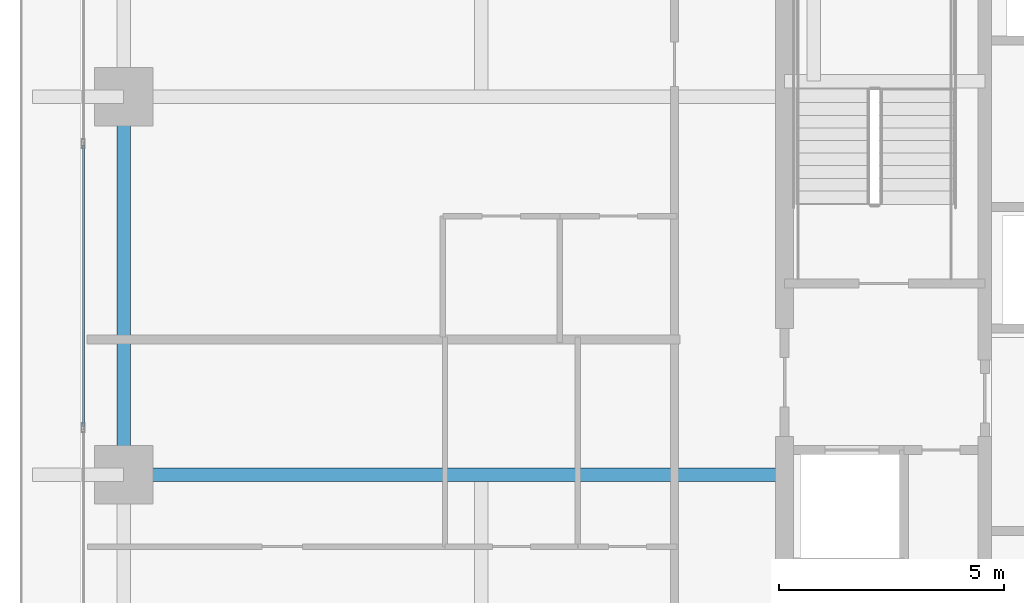
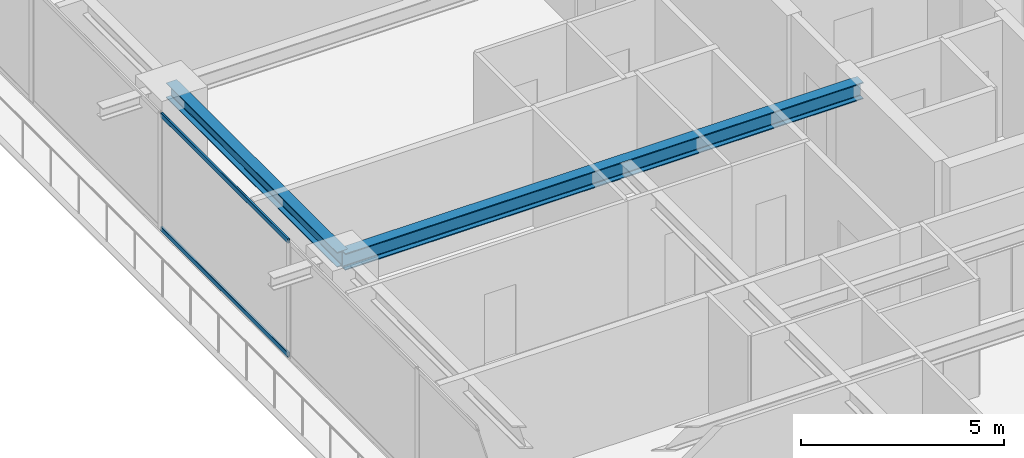
# One storey, part 8 of 36: 2 beams, 2 members, 1 element without a shape of its own.
"""IFC4 building model written with IfcOpenShell, lengths in metres."""

from ifc_helpers import new_model, si_unit, direction, frame, origin, origin_2d, place, context, subcontext, project, spatial, hollow_rectangle, i_section, extrude, source, transform, mapped, material, layer, layer_set, material_profile, profile_set, type_object, element, aggregate, save


model = new_model("IFC4")

# Units and contexts
model_context = context("Model", 3, precision=1e-05, world=origin(), true_north=direction((0.0, 1.0)))
body_context = subcontext(model_context, "Body", "Model", "MODEL_VIEW")
ifc_project = project(units=[si_unit("LENGTHUNIT", "METRE"), si_unit("AREAUNIT", "SQUARE_METRE"), si_unit("VOLUMEUNIT", "CUBIC_METRE"), si_unit("PLANEANGLEUNIT", "RADIAN"), si_unit("MASSUNIT", "GRAM", prefix="KILO")], contexts=[model_context])

# Site, building, storey
site_placement = place(None, origin())
site = spatial("IfcSite", under=ifc_project, at=site_placement, CompositionType="ELEMENT")
building_placement = place(site_placement, origin())
building = spatial("IfcBuilding", under=site, at=building_placement, Name="Serunith Strait Residences", CompositionType="ELEMENT")
storey_placement = place(building_placement, frame((0.0, 0.0, 131.39990234375)))
storey = spatial("IfcBuildingStorey", under=building, at=storey_placement, Name="L32", CompositionType="ELEMENT", Elevation=131.39990234375)

# Beams
ifc_material_1 = material(Name="Steel S355J2", Category="steel")
ifc_material_profile_1 = material_profile(ifc_material_1, i_section(OverallWidth=0.300048828125, OverallDepth=0.449951171875, WebThickness=0.013916015625, FlangeThickness=0.02587890625, FilletRadius=0.027099609375, at=origin_2d()), Name="HEB 450")
ifc_profile_set_1 = profile_set([ifc_material_profile_1], Name="Steel S355J2")
beam_type_1 = type_object("IfcBeamType", Name="BM-HEB450", PredefinedType="BEAM", material=ifc_profile_set_1)
shared_shape_1 = source(origin(), body_context, "Body", "SweptSolid", [
    extrude(i_section(OverallWidth=0.300048828125, OverallDepth=0.449951171875, WebThickness=0.013916015625, FlangeThickness=0.02587890625, FilletRadius=0.027099609375, at=origin_2d()), origin(), (0.0, 0.0, 1.0), 8.39990234375),
])
beam_1_placement = place(storey_placement, frame((8.699951171875, 29.39990234375, 3.26220703125), z_axis=(0.0, -1.0, 0.0), x_axis=(1.0, 0.0, 0.0)))
element("IfcBeam", 1, at=beam_1_placement, inside=storey, type_object=beam_type_1, Name="L32 Perimeter Ring Beam 14", PredefinedType="BEAM", context=body_context, shape_type="MappedRepresentation", body=[
    mapped(shared_shape_1, transform((0.0, 0.0, 0.0), scale=1.0)),
])
ifc_material_profile_2 = material_profile(ifc_material_1, i_section(OverallWidth=0.300048828125, OverallDepth=0.5, WebThickness=0.014404296875, FlangeThickness=0.028076171875, FilletRadius=0.027099609375, at=origin_2d()), Name="HEB 500")
ifc_profile_set_2 = profile_set([ifc_material_profile_2], Name="Steel S355J2")
beam_type_2 = type_object("IfcBeamType", Name="BM-HEB500", PredefinedType="BEAM", material=ifc_profile_set_2)
shared_shape_2 = source(origin(), body_context, "Body", "SweptSolid", [
    extrude(i_section(OverallWidth=0.300048828125, OverallDepth=0.5, WebThickness=0.014404296875, FlangeThickness=0.028076171875, FilletRadius=0.027099609375, at=origin_2d()), origin(), (0.0, 0.0, 1.0), 14.699951171875),
])
beam_2_placement = place(storey_placement, frame((23.39990234375, 21.0, 3.237060546875), z_axis=(-1.0, 0.0, 0.0), x_axis=(0.0, -1.0, 0.0)))
element("IfcBeam", 2, at=beam_2_placement, inside=storey, type_object=beam_type_2, Name="L32 Primary Floor Girder TC-W2", PredefinedType="BEAM", context=body_context, shape_type="MappedRepresentation", body=[
    mapped(shared_shape_2, transform((0.0, 0.0, 0.0), scale=1.0)),
])

# Curtain wall, members
ifc_material_2 = material(Name="Pale-Champagne Anodised Aluminium", Category="aluminium")
ifc_layer = layer(ifc_material_2, 0.199951171875, Name="Pale-Champagne Anodised Aluminium")
ifc_layer_set = layer_set([ifc_layer], Name="Pale-Champagne Anodised Aluminium")
curtain_wall_type = type_object("IfcCurtainWallType", Name="CW-SYS2", PredefinedType="NOTDEFINED", material=ifc_layer_set)
curtain_wall_placement = place(storey_placement, origin())
curtain_wall = element("IfcCurtainWall", 3, at=curtain_wall_placement, inside=storey, type_object=curtain_wall_type, Name="L32 W Unitised Fritted Curtain Wall", PredefinedType="NOTDEFINED")
ifc_material_profile_3 = material_profile(ifc_material_2, hollow_rectangle(XDim=0.06005859375, YDim=0.139892578125, WallThickness=0.00341796875, InnerFilletRadius=0.00537109375, OuterFilletRadius=0.0087890625, at=origin_2d()), Name="ALU 140x60x3.5")
ifc_profile_set_3 = profile_set([ifc_material_profile_3], Name="Pale-Champagne Anodised Aluminium")
member_type = type_object("IfcMemberType", Name="CW-SYS2-TRAN", PredefinedType="USERDEFINED", material=ifc_profile_set_3)
shared_shape_3 = source(origin(), body_context, "Body", "SweptSolid", [
    extrude(hollow_rectangle(XDim=0.06005859375, YDim=0.139892578125, WallThickness=0.00341796875, InnerFilletRadius=0.00537109375, OuterFilletRadius=0.0087890625, at=origin_2d()), origin(), (0.0, 0.0, 1.0), 6.25),
])
member_1_placement = place(storey_placement, frame((7.800048828125, 28.324951171875, 0.030029296875), z_axis=(0.0, -1.0, 0.0), x_axis=(1.0, 0.0, 0.0)))
member_1 = element("IfcMember", 4, at=member_1_placement, type_object=member_type, Name="CW-2 transom 3.1", ObjectType="TRANSOM", PredefinedType="USERDEFINED", context=body_context, shape_type="MappedRepresentation", body=[
    mapped(shared_shape_3, transform((0.0, 0.0, 0.0), scale=1.0)),
])
member_2_placement = place(storey_placement, frame((7.800048828125, 28.324951171875, 3.445068359375), z_axis=(0.0, -1.0, 0.0), x_axis=(1.0, 0.0, 0.0)))
member_2 = element("IfcMember", 5, at=member_2_placement, type_object=member_type, Name="CW-2 transom 3.2", ObjectType="TRANSOM", PredefinedType="USERDEFINED", context=body_context, shape_type="MappedRepresentation", body=[
    mapped(shared_shape_3, transform((0.0, 0.0, 0.0), scale=1.0)),
])
aggregate(curtain_wall, [member_1, member_2])

save(model, "model.ifc")
